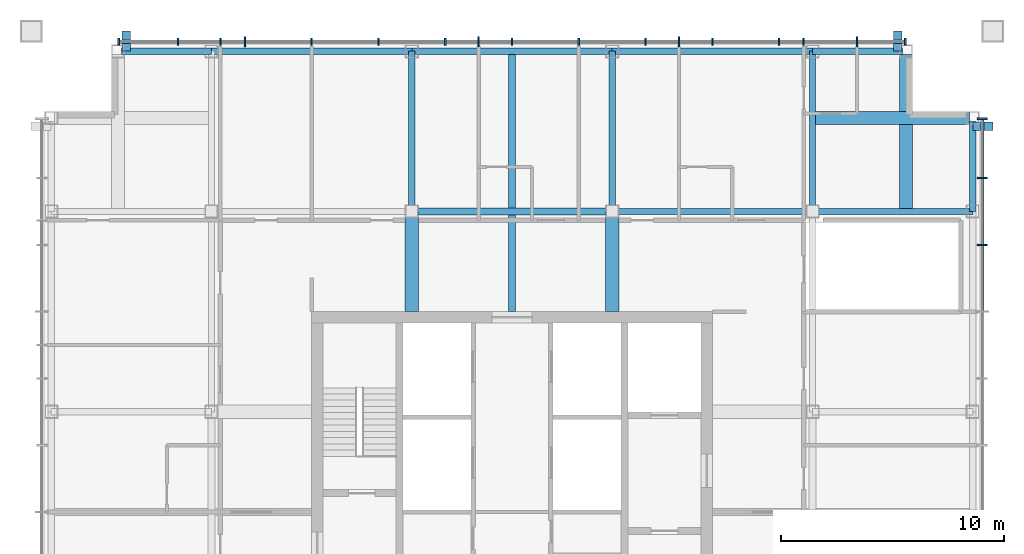
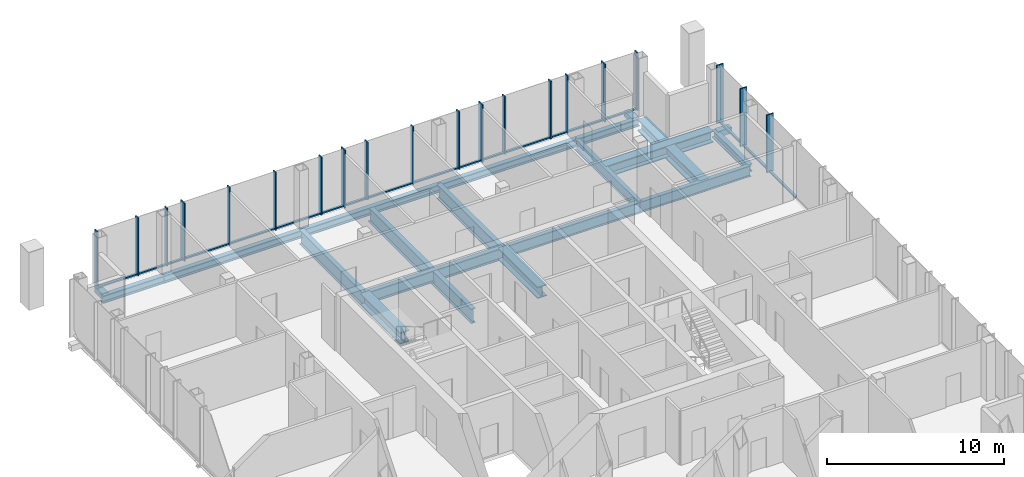
# One storey, part 5 of 12: 42 members, 17 beams, 2 elements without a shape of their own.
"""IFC4 building model written with IfcOpenShell, lengths in metres."""

from ifc_helpers import new_model, si_unit, direction, frame, origin, origin_2d, place, context, subcontext, project, spatial, rectangle, hollow_rectangle, i_section, extrude, material, layer, layer_set, material_profile, profile_set, type_object, element, aggregate, save


model = new_model("IFC4")

# Units and contexts
model_context = context("Model", 3, precision=1e-05, world=origin(), true_north=direction((0.0, 1.0)))
body_context = subcontext(model_context, "Body", "Model", "MODEL_VIEW")
ifc_project = project(units=[si_unit("LENGTHUNIT", "METRE"), si_unit("AREAUNIT", "SQUARE_METRE"), si_unit("VOLUMEUNIT", "CUBIC_METRE"), si_unit("PLANEANGLEUNIT", "RADIAN"), si_unit("MASSUNIT", "GRAM", prefix="KILO")], contexts=[model_context])

# Site, building, storey
site_placement = place(None, origin())
site = spatial("IfcSite", under=ifc_project, at=site_placement, CompositionType="ELEMENT")
building_placement = place(site_placement, origin())
building = spatial("IfcBuilding", under=site, at=building_placement, Name="Malebo Sky Hospital", CompositionType="ELEMENT")
storey_placement = place(building_placement, frame((0.0, 0.0, 286.0)))
storey = spatial("IfcBuildingStorey", under=building, at=storey_placement, Name="L69", CompositionType="ELEMENT", Elevation=286.0)

# Curtain wall, members
ifc_material_1 = material(Name="Anodised aluminium, natural silver", Category="aluminium")
ifc_layer_1 = layer(ifc_material_1, 0.25)
ifc_layer_set_1 = layer_set([ifc_layer_1], Name="WARD CURTAIN WALL NORTH AND SOUTH")
curtain_wall_type_1 = type_object("IfcCurtainWallType", Name="WARD CURTAIN WALL NORTH AND SOUTH", PredefinedType="NOTDEFINED", material=ifc_layer_set_1)
curtain_wall_1_placement = place(storey_placement, origin())
curtain_wall_1 = element("IfcCurtainWall", 1, at=curtain_wall_1_placement, inside=storey, type_object=curtain_wall_type_1, Name="NS curtain wall N", PredefinedType="NOTDEFINED")
ifc_material_profile_1 = material_profile(ifc_material_1, rectangle(XDim=0.14990234375, YDim=0.10009765625, at=origin_2d()), Name="ALUMINIUM TRANSOM 150x100")
ifc_profile_set_1 = profile_set([ifc_material_profile_1], Name="Anodised aluminium, natural silver")
member_type_1 = type_object("IfcMemberType", Name="ALUMINIUM TRANSOM 150x100", PredefinedType="USERDEFINED", material=ifc_profile_set_1)
member_1_placement = place(storey_placement, frame((42.375, 83.125, 0.050048828125), z_axis=(1.0, 0.0, 0.0), x_axis=(0.0, 1.0, 0.0)))
member_1 = element("IfcMember", 2, at=member_1_placement, type_object=member_type_1, Name="Transom 1", ObjectType="TRANSOM", PredefinedType="USERDEFINED", context=body_context, shape_type="SweptSolid", body=[
    extrude(rectangle(XDim=0.14990234375, YDim=0.10009765625, at=origin_2d()), origin(), (0.0, 0.0, 1.0), 2.58740234375),
])
member_2_placement = place(storey_placement, frame((45.03759765625, 83.125, 0.050048828125), z_axis=(1.0, 0.0, 0.0), x_axis=(0.0, 1.0, 0.0)))
member_2 = element("IfcMember", 3, at=member_2_placement, type_object=member_type_1, Name="Transom 2", ObjectType="TRANSOM", PredefinedType="USERDEFINED", context=body_context, shape_type="SweptSolid", body=[
    extrude(rectangle(XDim=0.14990234375, YDim=0.10009765625, at=origin_2d()), origin(), (0.0, 0.0, 1.0), 1.824951171875),
])
member_3_placement = place(storey_placement, frame((46.9375, 83.125, 0.050048828125), z_axis=(1.0, 0.0, 0.0), x_axis=(0.0, 1.0, 0.0)))
member_3 = element("IfcMember", 4, at=member_3_placement, type_object=member_type_1, Name="Transom 3", ObjectType="TRANSOM", PredefinedType="USERDEFINED", context=body_context, shape_type="SweptSolid", body=[
    extrude(rectangle(XDim=0.14990234375, YDim=0.10009765625, at=origin_2d()), origin(), (0.0, 0.0, 1.0), 1.02490234375),
])
member_4_placement = place(storey_placement, frame((48.03759765625, 83.125, 0.050048828125), z_axis=(1.0, 0.0, 0.0), x_axis=(0.0, 1.0, 0.0)))
member_4 = element("IfcMember", 5, at=member_4_placement, type_object=member_type_1, Name="Transom 4", ObjectType="TRANSOM", PredefinedType="USERDEFINED", context=body_context, shape_type="SweptSolid", body=[
    extrude(rectangle(XDim=0.14990234375, YDim=0.10009765625, at=origin_2d()), origin(), (0.0, 0.0, 1.0), 2.9248046875),
])
member_5_placement = place(storey_placement, frame((51.03759765625, 83.125, 0.050048828125), z_axis=(1.0, 0.0, 0.0), x_axis=(0.0, 1.0, 0.0)))
member_5 = element("IfcMember", 6, at=member_5_placement, type_object=member_type_1, Name="Transom 5", ObjectType="TRANSOM", PredefinedType="USERDEFINED", context=body_context, shape_type="SweptSolid", body=[
    extrude(rectangle(XDim=0.14990234375, YDim=0.10009765625, at=origin_2d()), origin(), (0.0, 0.0, 1.0), 2.9248046875),
])
member_6_placement = place(storey_placement, frame((54.03759765625, 83.125, 0.050048828125), z_axis=(1.0, 0.0, 0.0), x_axis=(0.0, 1.0, 0.0)))
member_6 = element("IfcMember", 7, at=member_6_placement, type_object=member_type_1, Name="Transom 6", ObjectType="TRANSOM", PredefinedType="USERDEFINED", context=body_context, shape_type="SweptSolid", body=[
    extrude(rectangle(XDim=0.14990234375, YDim=0.10009765625, at=origin_2d()), origin(), (0.0, 0.0, 1.0), 2.9248046875),
])
member_7_placement = place(storey_placement, frame((57.03759765625, 83.125, 0.050048828125), z_axis=(1.0, 0.0, 0.0), x_axis=(0.0, 1.0, 0.0)))
member_7 = element("IfcMember", 8, at=member_7_placement, type_object=member_type_1, Name="Transom 7", ObjectType="TRANSOM", PredefinedType="USERDEFINED", context=body_context, shape_type="SweptSolid", body=[
    extrude(rectangle(XDim=0.14990234375, YDim=0.10009765625, at=origin_2d()), origin(), (0.0, 0.0, 1.0), 1.4248046875),
])
member_8_placement = place(storey_placement, frame((58.53759765625, 83.125, 0.050048828125), z_axis=(1.0, 0.0, 0.0), x_axis=(0.0, 1.0, 0.0)))
member_8 = element("IfcMember", 9, at=member_8_placement, type_object=member_type_1, Name="Transom 8", ObjectType="TRANSOM", PredefinedType="USERDEFINED", context=body_context, shape_type="SweptSolid", body=[
    extrude(rectangle(XDim=0.14990234375, YDim=0.10009765625, at=origin_2d()), origin(), (0.0, 0.0, 1.0), 1.4248046875),
])
member_9_placement = place(storey_placement, frame((60.03759765625, 83.125, 0.050048828125), z_axis=(1.0, 0.0, 0.0), x_axis=(0.0, 1.0, 0.0)))
member_9 = element("IfcMember", 10, at=member_9_placement, type_object=member_type_1, Name="Transom 9", ObjectType="TRANSOM", PredefinedType="USERDEFINED", context=body_context, shape_type="SweptSolid", body=[
    extrude(rectangle(XDim=0.14990234375, YDim=0.10009765625, at=origin_2d()), origin(), (0.0, 0.0, 1.0), 2.9248046875),
])
member_10_placement = place(storey_placement, frame((63.03759765625, 83.125, 0.050048828125), z_axis=(1.0, 0.0, 0.0), x_axis=(0.0, 1.0, 0.0)))
member_10 = element("IfcMember", 11, at=member_10_placement, type_object=member_type_1, Name="Transom 10", ObjectType="TRANSOM", PredefinedType="USERDEFINED", context=body_context, shape_type="SweptSolid", body=[
    extrude(rectangle(XDim=0.14990234375, YDim=0.10009765625, at=origin_2d()), origin(), (0.0, 0.0, 1.0), 2.9248046875),
])
member_11_placement = place(storey_placement, frame((66.03759765625, 83.125, 0.050048828125), z_axis=(1.0, 0.0, 0.0), x_axis=(0.0, 1.0, 0.0)))
member_11 = element("IfcMember", 12, at=member_11_placement, type_object=member_type_1, Name="Transom 11", ObjectType="TRANSOM", PredefinedType="USERDEFINED", context=body_context, shape_type="SweptSolid", body=[
    extrude(rectangle(XDim=0.14990234375, YDim=0.10009765625, at=origin_2d()), origin(), (0.0, 0.0, 1.0), 1.4248046875),
])
member_12_placement = place(storey_placement, frame((67.53759765625, 83.125, 0.050048828125), z_axis=(1.0, 0.0, 0.0), x_axis=(0.0, 1.0, 0.0)))
member_12 = element("IfcMember", 13, at=member_12_placement, type_object=member_type_1, Name="Transom 12", ObjectType="TRANSOM", PredefinedType="USERDEFINED", context=body_context, shape_type="SweptSolid", body=[
    extrude(rectangle(XDim=0.14990234375, YDim=0.10009765625, at=origin_2d()), origin(), (0.0, 0.0, 1.0), 1.4248046875),
])
member_13_placement = place(storey_placement, frame((69.03759765625, 83.125, 0.050048828125), z_axis=(1.0, 0.0, 0.0), x_axis=(0.0, 1.0, 0.0)))
member_13 = element("IfcMember", 14, at=member_13_placement, type_object=member_type_1, Name="Transom 13", ObjectType="TRANSOM", PredefinedType="USERDEFINED", context=body_context, shape_type="SweptSolid", body=[
    extrude(rectangle(XDim=0.14990234375, YDim=0.10009765625, at=origin_2d()), origin(), (0.0, 0.0, 1.0), 2.9248046875),
])
member_14_placement = place(storey_placement, frame((72.03759765625, 83.125, 0.050048828125), z_axis=(1.0, 0.0, 0.0), x_axis=(0.0, 1.0, 0.0)))
member_14 = element("IfcMember", 15, at=member_14_placement, type_object=member_type_1, Name="Transom 14", ObjectType="TRANSOM", PredefinedType="USERDEFINED", context=body_context, shape_type="SweptSolid", body=[
    extrude(rectangle(XDim=0.14990234375, YDim=0.10009765625, at=origin_2d()), origin(), (0.0, 0.0, 1.0), 1.02490234375),
])
member_15_placement = place(storey_placement, frame((73.137451171875, 83.125, 0.050048828125), z_axis=(1.0, 0.0, 0.0), x_axis=(0.0, 1.0, 0.0)))
member_15 = element("IfcMember", 16, at=member_15_placement, type_object=member_type_1, Name="Transom 15", ObjectType="TRANSOM", PredefinedType="USERDEFINED", context=body_context, shape_type="SweptSolid", body=[
    extrude(rectangle(XDim=0.14990234375, YDim=0.10009765625, at=origin_2d()), origin(), (0.0, 0.0, 1.0), 2.324951171875),
])
member_16_placement = place(storey_placement, frame((75.53759765625, 83.125, 0.050048828125), z_axis=(1.0, 0.0, 0.0), x_axis=(0.0, 1.0, 0.0)))
member_16 = element("IfcMember", 17, at=member_16_placement, type_object=member_type_1, Name="Transom 16", ObjectType="TRANSOM", PredefinedType="USERDEFINED", context=body_context, shape_type="SweptSolid", body=[
    extrude(rectangle(XDim=0.14990234375, YDim=0.10009765625, at=origin_2d()), origin(), (0.0, 0.0, 1.0), 2.08740234375),
])

ifc_layer_2 = layer(ifc_material_1, 0.25)
ifc_layer_set_2 = layer_set([ifc_layer_2], Name="WARD CURTAIN WALL EAST AND WEST")
curtain_wall_type_2 = type_object("IfcCurtainWallType", Name="WARD CURTAIN WALL EAST AND WEST", PredefinedType="NOTDEFINED", material=ifc_layer_set_2)
curtain_wall_2_placement = place(storey_placement, origin())
curtain_wall_2 = element("IfcCurtainWall", 18, at=curtain_wall_2_placement, inside=storey, type_object=curtain_wall_type_2, Name="EW curtain wall E", PredefinedType="NOTDEFINED")
member_17_placement = place(storey_placement, frame((81.125, 79.625, 0.050048828125), z_axis=(0.0, -1.0, 0.0), x_axis=(1.0, 0.0, 0.0)))
member_17 = element("IfcMember", 19, at=member_17_placement, type_object=member_type_1, Name="Transom 1", ObjectType="TRANSOM", PredefinedType="USERDEFINED", context=body_context, shape_type="SweptSolid", body=[
    extrude(rectangle(XDim=0.14990234375, YDim=0.10009765625, at=origin_2d()), origin(), (0.0, 0.0, 1.0), 2.58740234375),
])
member_18_placement = place(storey_placement, frame((81.125, 76.96240234375, 0.050048828125), z_axis=(0.0, -1.0, 0.0), x_axis=(1.0, 0.0, 0.0)))
member_18 = element("IfcMember", 20, at=member_18_placement, type_object=member_type_1, Name="Transom 2", ObjectType="TRANSOM", PredefinedType="USERDEFINED", context=body_context, shape_type="SweptSolid", body=[
    extrude(rectangle(XDim=0.14990234375, YDim=0.10009765625, at=origin_2d()), origin(), (0.0, 0.0, 1.0), 2.9248046875),
])
member_19_placement = place(storey_placement, frame((81.125, 73.96240234375, 0.050048828125), z_axis=(0.0, -1.0, 0.0), x_axis=(1.0, 0.0, 0.0)))
member_19 = element("IfcMember", 21, at=member_19_placement, type_object=member_type_1, Name="Transom 3", ObjectType="TRANSOM", PredefinedType="USERDEFINED", context=body_context, shape_type="SweptSolid", body=[
    extrude(rectangle(XDim=0.14990234375, YDim=0.10009765625, at=origin_2d()), origin(), (0.0, 0.0, 1.0), 2.9248046875),
])

# Members
ifc_material_2 = material(Name="Steel S355", Category="steel")
ifc_material_profile_2 = material_profile(ifc_material_2, hollow_rectangle(XDim=0.39990234375, YDim=0.39990234375, WallThickness=0.02001953125, at=origin_2d()), Name="SHS 400x20")
ifc_profile_set_2 = profile_set([ifc_material_profile_2], Name="Steel S355")
member_type_2 = type_object("IfcMemberType", Name="BRACE STRUT SHS 400x20", PredefinedType="STRUT", material=ifc_profile_set_2)
for number, where, z_axis, x_axis, name in (
    (22, (42.671875, 83.60009765625, -0.39990234375), (0.0, -1.0, 0.0), (1.0, 0.0, 0.0), "Brace strut DN1 L69"),
    (23, (77.328125, 83.60009765625, -0.39990234375), (0.0, -1.0, 0.0), (1.0, 0.0, 0.0), "Brace strut DN2 L69"),
    (24, (81.60009765625, 79.328125, -0.39990234375), (-1.0, 0.0, 0.0), (0.0, -1.0, 0.0), "Brace strut DE1 L69"),
):
    element("IfcMember", number, at=place(storey_placement, frame(where, z_axis=z_axis, x_axis=x_axis)), inside=storey, type_object=member_type_2, Name=name, PredefinedType="STRUT", context=body_context, shape_type="SweptSolid", body=[
        extrude(hollow_rectangle(XDim=0.39990234375, YDim=0.39990234375, WallThickness=0.02001953125, at=origin_2d()), origin(), (0.0, 0.0, 1.0), 0.900146484375),
    ])

# Member
ifc_material_profile_3 = material_profile(ifc_material_1, rectangle(XDim=0.074951171875, YDim=0.300048828125, at=origin_2d()), Name="CW1 ALUMINIUM FIN MULLION 75x300")
ifc_profile_set_3 = profile_set([ifc_material_profile_3], Name="Anodised aluminium, natural silver")
member_type_3 = type_object("IfcMemberType", Name="CW1 ALUMINIUM FIN MULLION 75x300", PredefinedType="MULLION", material=ifc_profile_set_3)
member_20_placement = place(storey_placement, frame((42.33740234375, 83.125, 0.0), z_axis=(0.0, 0.0, 1.0), x_axis=(1.0, 0.0, 0.0)))
member_20 = element("IfcMember", 25, at=member_20_placement, type_object=member_type_3, Name="Fin mullion 1", PredefinedType="MULLION", context=body_context, shape_type="SweptSolid", body=[
    extrude(rectangle(XDim=0.074951171875, YDim=0.300048828125, at=origin_2d()), origin(), (0.0, 0.0, 1.0), 4.0),
])

member_21_placement = place(storey_placement, frame((45.0, 83.125, 0.0), z_axis=(0.0, 0.0, 1.0), x_axis=(1.0, 0.0, 0.0)))
member_21 = element("IfcMember", 26, at=member_21_placement, type_object=member_type_3, Name="Fin mullion 2", PredefinedType="MULLION", context=body_context, shape_type="SweptSolid", body=[
    extrude(rectangle(XDim=0.074951171875, YDim=0.300048828125, at=origin_2d()), origin(), (0.0, 0.0, 1.0), 4.0),
])

member_22_placement = place(storey_placement, frame((46.89990234375, 83.125, 0.0), z_axis=(0.0, 0.0, 1.0), x_axis=(1.0, 0.0, 0.0)))
member_22 = element("IfcMember", 27, at=member_22_placement, type_object=member_type_3, Name="Fin mullion 3", PredefinedType="MULLION", context=body_context, shape_type="SweptSolid", body=[
    extrude(rectangle(XDim=0.074951171875, YDim=0.300048828125, at=origin_2d()), origin(), (0.0, 0.0, 1.0), 4.0),
])

member_23_placement = place(storey_placement, frame((51.0, 83.125, 0.0), z_axis=(0.0, 0.0, 1.0), x_axis=(1.0, 0.0, 0.0)))
member_23 = element("IfcMember", 28, at=member_23_placement, type_object=member_type_3, Name="Fin mullion 5", PredefinedType="MULLION", context=body_context, shape_type="SweptSolid", body=[
    extrude(rectangle(XDim=0.074951171875, YDim=0.300048828125, at=origin_2d()), origin(), (0.0, 0.0, 1.0), 4.0),
])

member_24_placement = place(storey_placement, frame((54.0, 83.125, 0.0), z_axis=(0.0, 0.0, 1.0), x_axis=(1.0, 0.0, 0.0)))
member_24 = element("IfcMember", 29, at=member_24_placement, type_object=member_type_3, Name="Fin mullion 6", PredefinedType="MULLION", context=body_context, shape_type="SweptSolid", body=[
    extrude(rectangle(XDim=0.074951171875, YDim=0.300048828125, at=origin_2d()), origin(), (0.0, 0.0, 1.0), 4.0),
])

member_25_placement = place(storey_placement, frame((57.0, 83.125, 0.0), z_axis=(0.0, 0.0, 1.0), x_axis=(1.0, 0.0, 0.0)))
member_25 = element("IfcMember", 30, at=member_25_placement, type_object=member_type_3, Name="Fin mullion 7", PredefinedType="MULLION", context=body_context, shape_type="SweptSolid", body=[
    extrude(rectangle(XDim=0.074951171875, YDim=0.300048828125, at=origin_2d()), origin(), (0.0, 0.0, 1.0), 4.0),
])

member_26_placement = place(storey_placement, frame((60.0, 83.125, 0.0), z_axis=(0.0, 0.0, 1.0), x_axis=(1.0, 0.0, 0.0)))
member_26 = element("IfcMember", 31, at=member_26_placement, type_object=member_type_3, Name="Fin mullion 9", PredefinedType="MULLION", context=body_context, shape_type="SweptSolid", body=[
    extrude(rectangle(XDim=0.074951171875, YDim=0.300048828125, at=origin_2d()), origin(), (0.0, 0.0, 1.0), 4.0),
])

member_27_placement = place(storey_placement, frame((63.0, 83.125, 0.0), z_axis=(0.0, 0.0, 1.0), x_axis=(1.0, 0.0, 0.0)))
member_27 = element("IfcMember", 32, at=member_27_placement, type_object=member_type_3, Name="Fin mullion 10", PredefinedType="MULLION", context=body_context, shape_type="SweptSolid", body=[
    extrude(rectangle(XDim=0.074951171875, YDim=0.300048828125, at=origin_2d()), origin(), (0.0, 0.0, 1.0), 4.0),
])

member_28_placement = place(storey_placement, frame((66.0, 83.125, 0.0), z_axis=(0.0, 0.0, 1.0), x_axis=(1.0, 0.0, 0.0)))
member_28 = element("IfcMember", 33, at=member_28_placement, type_object=member_type_3, Name="Fin mullion 11", PredefinedType="MULLION", context=body_context, shape_type="SweptSolid", body=[
    extrude(rectangle(XDim=0.074951171875, YDim=0.300048828125, at=origin_2d()), origin(), (0.0, 0.0, 1.0), 4.0),
])

member_29_placement = place(storey_placement, frame((69.0, 83.125, 0.0), z_axis=(0.0, 0.0, 1.0), x_axis=(1.0, 0.0, 0.0)))
member_29 = element("IfcMember", 34, at=member_29_placement, type_object=member_type_3, Name="Fin mullion 13", PredefinedType="MULLION", context=body_context, shape_type="SweptSolid", body=[
    extrude(rectangle(XDim=0.074951171875, YDim=0.300048828125, at=origin_2d()), origin(), (0.0, 0.0, 1.0), 4.0),
])

member_30_placement = place(storey_placement, frame((72.0, 83.125, 0.0), z_axis=(0.0, 0.0, 1.0), x_axis=(1.0, 0.0, 0.0)))
member_30 = element("IfcMember", 35, at=member_30_placement, type_object=member_type_3, Name="Fin mullion 14", PredefinedType="MULLION", context=body_context, shape_type="SweptSolid", body=[
    extrude(rectangle(XDim=0.074951171875, YDim=0.300048828125, at=origin_2d()), origin(), (0.0, 0.0, 1.0), 4.0),
])

member_31_placement = place(storey_placement, frame((73.10009765625, 83.125, 0.0), z_axis=(0.0, 0.0, 1.0), x_axis=(1.0, 0.0, 0.0)))
member_31 = element("IfcMember", 36, at=member_31_placement, type_object=member_type_3, Name="Fin mullion 15", PredefinedType="MULLION", context=body_context, shape_type="SweptSolid", body=[
    extrude(rectangle(XDim=0.074951171875, YDim=0.300048828125, at=origin_2d()), origin(), (0.0, 0.0, 1.0), 4.0),
])

member_32_placement = place(storey_placement, frame((77.66259765625, 83.125, 0.0), z_axis=(0.0, 0.0, 1.0), x_axis=(1.0, 0.0, 0.0)))
member_32 = element("IfcMember", 37, at=member_32_placement, type_object=member_type_3, Name="Fin mullion 17", PredefinedType="MULLION", context=body_context, shape_type="SweptSolid", body=[
    extrude(rectangle(XDim=0.074951171875, YDim=0.300048828125, at=origin_2d()), origin(), (0.0, 0.0, 1.0), 4.0),
])

ifc_material_profile_4 = material_profile(ifc_material_1, rectangle(XDim=0.074951171875, YDim=0.449951171875, at=origin_2d()), Name="CW1 ALUMINIUM FIN MULLION 75x450")
ifc_profile_set_4 = profile_set([ifc_material_profile_4], Name="Anodised aluminium, natural silver")
member_type_4 = type_object("IfcMemberType", Name="CW1 ALUMINIUM FIN MULLION 75x450", PredefinedType="MULLION", material=ifc_profile_set_4)
member_33_placement = place(storey_placement, frame((48.0, 83.125, 0.0), z_axis=(0.0, 0.0, 1.0), x_axis=(1.0, 0.0, 0.0)))
member_33 = element("IfcMember", 38, at=member_33_placement, type_object=member_type_4, Name="Fin mullion 4", PredefinedType="MULLION", context=body_context, shape_type="SweptSolid", body=[
    extrude(rectangle(XDim=0.074951171875, YDim=0.449951171875, at=origin_2d()), origin(), (0.0, 0.0, 1.0), 4.0),
])

member_34_placement = place(storey_placement, frame((58.5, 83.125, 0.0), z_axis=(0.0, 0.0, 1.0), x_axis=(1.0, 0.0, 0.0)))
member_34 = element("IfcMember", 39, at=member_34_placement, type_object=member_type_4, Name="Fin mullion 8", PredefinedType="MULLION", context=body_context, shape_type="SweptSolid", body=[
    extrude(rectangle(XDim=0.074951171875, YDim=0.449951171875, at=origin_2d()), origin(), (0.0, 0.0, 1.0), 4.0),
])

member_35_placement = place(storey_placement, frame((67.5, 83.125, 0.0), z_axis=(0.0, 0.0, 1.0), x_axis=(1.0, 0.0, 0.0)))
member_35 = element("IfcMember", 40, at=member_35_placement, type_object=member_type_4, Name="Fin mullion 12", PredefinedType="MULLION", context=body_context, shape_type="SweptSolid", body=[
    extrude(rectangle(XDim=0.074951171875, YDim=0.449951171875, at=origin_2d()), origin(), (0.0, 0.0, 1.0), 4.0),
])

member_36_placement = place(storey_placement, frame((75.5, 83.125, 0.0), z_axis=(0.0, 0.0, 1.0), x_axis=(1.0, 0.0, 0.0)))
member_36 = element("IfcMember", 41, at=member_36_placement, type_object=member_type_4, Name="Fin mullion 16", PredefinedType="MULLION", context=body_context, shape_type="SweptSolid", body=[
    extrude(rectangle(XDim=0.074951171875, YDim=0.449951171875, at=origin_2d()), origin(), (0.0, 0.0, 1.0), 4.0),
])

aggregate(curtain_wall_1, [member_20, member_21, member_22, member_33, member_23, member_24, member_25, member_34, member_26, member_27, member_28, member_35, member_29, member_30, member_31, member_36, member_32, member_1, member_2, member_3, member_4, member_5, member_6, member_7, member_8, member_9, member_10, member_11, member_12, member_13, member_14, member_15, member_16])

ifc_material_profile_5 = material_profile(ifc_material_1, rectangle(XDim=0.074951171875, YDim=0.449951171875, at=origin_2d()), Name="CW2 ALUMINIUM FIN MULLION 75x450")
ifc_profile_set_5 = profile_set([ifc_material_profile_5], Name="Anodised aluminium, natural silver")
member_type_5 = type_object("IfcMemberType", Name="CW2 ALUMINIUM FIN MULLION 75x450", PredefinedType="MULLION", material=ifc_profile_set_5)
member_37_placement = place(storey_placement, frame((81.125, 79.66259765625, 0.0), z_axis=(0.0, 0.0, 1.0), x_axis=(0.0, -1.0, 0.0)))
member_37 = element("IfcMember", 42, at=member_37_placement, type_object=member_type_5, Name="Fin mullion 1", PredefinedType="MULLION", context=body_context, shape_type="SweptSolid", body=[
    extrude(rectangle(XDim=0.074951171875, YDim=0.449951171875, at=origin_2d()), origin(), (0.0, 0.0, 1.0), 4.0),
])

member_38_placement = place(storey_placement, frame((81.125, 77.0, 0.0), z_axis=(0.0, 0.0, 1.0), x_axis=(0.0, -1.0, 0.0)))
member_38 = element("IfcMember", 43, at=member_38_placement, type_object=member_type_5, Name="Fin mullion 2", PredefinedType="MULLION", context=body_context, shape_type="SweptSolid", body=[
    extrude(rectangle(XDim=0.074951171875, YDim=0.449951171875, at=origin_2d()), origin(), (0.0, 0.0, 1.0), 4.0),
])

member_39_placement = place(storey_placement, frame((81.125, 74.0, 0.0), z_axis=(0.0, 0.0, 1.0), x_axis=(0.0, -1.0, 0.0)))
member_39 = element("IfcMember", 44, at=member_39_placement, type_object=member_type_5, Name="Fin mullion 3", PredefinedType="MULLION", context=body_context, shape_type="SweptSolid", body=[
    extrude(rectangle(XDim=0.074951171875, YDim=0.449951171875, at=origin_2d()), origin(), (0.0, 0.0, 1.0), 4.0),
])

aggregate(curtain_wall_2, [member_37, member_38, member_39, member_17, member_18, member_19])

# Beams
ifc_material_profile_6 = material_profile(ifc_material_2, i_section(OverallWidth=0.305908203125, OverallDepth=0.52392578125, WebThickness=0.02099609375, FlangeThickness=0.0400390625, FilletRadius=0.027099609375, at=origin_2d()), Name="HEM 500")
ifc_profile_set_6 = profile_set([ifc_material_profile_6], Name="Steel S355")
beam_type_1 = type_object("IfcBeamType", Name="EDGE BEAM HEM 500", PredefinedType="BEAM", material=ifc_profile_set_6)
for number, where, z_axis, x_axis, name in (
    (45, (80.699951171875, 75.5, -0.511962890625), (0.0, 1.0, 0.0), (-1.0, 0.0, 0.0), "Beam 033 L69"),
    (46, (42.449951171875, 82.699951171875, -0.511962890625), (1.0, 0.0, 0.0), (0.0, 1.0, 0.0), "Beam 063 L69"),
):
    element("IfcBeam", number, at=place(storey_placement, frame(where, z_axis=z_axis, x_axis=x_axis)), inside=storey, type_object=beam_type_1, Name=name, PredefinedType="BEAM", context=body_context, shape_type="SweptSolid", body=[
        extrude(i_section(OverallWidth=0.305908203125, OverallDepth=0.52392578125, WebThickness=0.02099609375, FlangeThickness=0.0400390625, FilletRadius=0.027099609375, at=origin_2d()), origin(), (0.0, 0.0, 1.0), 4.050048828125),
    ])
for number, where, z_axis, x_axis, name in (
    (47, (46.5, 82.699951171875, -0.511962890625), (1.0, 0.0, 0.0), (0.0, 1.0, 0.0), "Beam 064 L69"),
    (48, (55.5, 82.699951171875, -0.511962890625), (1.0, 0.0, 0.0), (0.0, 1.0, 0.0), "Beam 065 L69"),
    (49, (64.5, 82.699951171875, -0.511962890625), (1.0, 0.0, 0.0), (0.0, 1.0, 0.0), "Beam 066 L69"),
):
    element("IfcBeam", number, at=place(storey_placement, frame(where, z_axis=z_axis, x_axis=x_axis)), inside=storey, type_object=beam_type_1, Name=name, PredefinedType="BEAM", context=body_context, shape_type="SweptSolid", body=[
        extrude(i_section(OverallWidth=0.305908203125, OverallDepth=0.52392578125, WebThickness=0.02099609375, FlangeThickness=0.0400390625, FilletRadius=0.027099609375, at=origin_2d()), origin(), (0.0, 0.0, 1.0), 9.0),
    ])
beam_1_placement = place(storey_placement, frame((73.5, 82.699951171875, -0.511962890625), z_axis=(1.0, 0.0, 0.0), x_axis=(0.0, 1.0, 0.0)))
element("IfcBeam", 50, at=beam_1_placement, inside=storey, type_object=beam_type_1, Name="Beam 067 L69", PredefinedType="BEAM", context=body_context, shape_type="SweptSolid", body=[
    extrude(i_section(OverallWidth=0.305908203125, OverallDepth=0.52392578125, WebThickness=0.02099609375, FlangeThickness=0.0400390625, FilletRadius=0.027099609375, at=origin_2d()), origin(), (0.0, 0.0, 1.0), 4.050048828125),
])
ifc_material_profile_7 = material_profile(ifc_material_2, i_section(OverallWidth=0.300048828125, OverallDepth=1.0, WebThickness=0.01904296875, FlangeThickness=0.035888671875, FilletRadius=0.030029296875, at=origin_2d()), Name="HEB 1000")
ifc_profile_set_7 = profile_set([ifc_material_profile_7], Name="Steel S355")
beam_type_2 = type_object("IfcBeamType", Name="FLOOR BEAM HEB 1000", PredefinedType="BEAM", material=ifc_profile_set_7)
beam_2_placement = place(storey_placement, frame((55.5, 75.5, -0.75), z_axis=(0.0, 1.0, 0.0), x_axis=(-1.0, 0.0, 0.0)))
element("IfcBeam", 51, at=beam_2_placement, inside=storey, type_object=beam_type_2, Name="Beam 015 L69", PredefinedType="BEAM", context=body_context, shape_type="SweptSolid", body=[
    extrude(i_section(OverallWidth=0.300048828125, OverallDepth=1.0, WebThickness=0.01904296875, FlangeThickness=0.035888671875, FilletRadius=0.030029296875, at=origin_2d()), origin(), (0.0, 0.0, 1.0), 7.199951171875),
])
beam_3_placement = place(storey_placement, frame((60.0, 71.0, -0.75), z_axis=(0.0, 1.0, 0.0), x_axis=(-1.0, 0.0, 0.0)))
element("IfcBeam", 52, at=beam_3_placement, inside=storey, type_object=beam_type_2, Name="Beam 017 L69", PredefinedType="BEAM", context=body_context, shape_type="SweptSolid", body=[
    extrude(i_section(OverallWidth=0.300048828125, OverallDepth=1.0, WebThickness=0.01904296875, FlangeThickness=0.035888671875, FilletRadius=0.030029296875, at=origin_2d()), origin(), (0.0, 0.0, 1.0), 11.699951171875),
])
beam_4_placement = place(storey_placement, frame((64.5, 75.5, -0.75), z_axis=(0.0, 1.0, 0.0), x_axis=(-1.0, 0.0, 0.0)))
element("IfcBeam", 53, at=beam_4_placement, inside=storey, type_object=beam_type_2, Name="Beam 021 L69", PredefinedType="BEAM", context=body_context, shape_type="SweptSolid", body=[
    extrude(i_section(OverallWidth=0.300048828125, OverallDepth=1.0, WebThickness=0.01904296875, FlangeThickness=0.035888671875, FilletRadius=0.030029296875, at=origin_2d()), origin(), (0.0, 0.0, 1.0), 7.199951171875),
])
ifc_material_profile_8 = material_profile(ifc_material_2, i_section(OverallWidth=0.26708984375, OverallDepth=0.761962890625, WebThickness=0.014404296875, FlangeThickness=0.021484375, FilletRadius=0.01708984375, at=origin_2d()), Name="IPE 750x173")
ifc_profile_set_8 = profile_set([ifc_material_profile_8], Name="Steel S355")
beam_type_3 = type_object("IfcBeamType", Name="FLOOR BEAM IPE 750x173", PredefinedType="BEAM", material=ifc_profile_set_8)
beam_5_placement = place(storey_placement, frame((64.5, 75.5, -0.631103515625), z_axis=(1.0, 0.0, 0.0), x_axis=(0.0, 1.0, 0.0)))
element("IfcBeam", 54, at=beam_5_placement, inside=storey, type_object=beam_type_3, Name="Beam 059 L69", PredefinedType="BEAM", context=body_context, shape_type="SweptSolid", body=[
    extrude(i_section(OverallWidth=0.26708984375, OverallDepth=0.761962890625, WebThickness=0.014404296875, FlangeThickness=0.021484375, FilletRadius=0.01708984375, at=origin_2d()), origin(), (0.0, 0.0, 1.0), 9.0),
])
ifc_material_profile_9 = material_profile(ifc_material_2, i_section(OverallWidth=0.60009765625, OverallDepth=0.800048828125, WebThickness=0.0400390625, FlangeThickness=0.06005859375, at=origin_2d()), Name="PG 800x600x40x60")
ifc_profile_set_9 = profile_set([ifc_material_profile_9], Name="Steel S355")
beam_type_4 = type_object("IfcBeamType", Name="FLOOR BEAM PG 800x600x40x60", PredefinedType="BEAM", material=ifc_profile_set_9)
for number, where, z_axis, x_axis, name in (
    (55, (55.5, 71.0, -0.64990234375), (0.0, 1.0, 0.0), (-1.0, 0.0, 0.0), "Beam 014 L69"),
    (56, (64.5, 71.0, -0.64990234375), (0.0, 1.0, 0.0), (-1.0, 0.0, 0.0), "Beam 020 L69"),
):
    element("IfcBeam", number, at=place(storey_placement, frame(where, z_axis=z_axis, x_axis=x_axis)), inside=storey, type_object=beam_type_4, Name=name, PredefinedType="BEAM", context=body_context, shape_type="SweptSolid", body=[
        extrude(i_section(OverallWidth=0.60009765625, OverallDepth=0.800048828125, WebThickness=0.0400390625, FlangeThickness=0.06005859375, at=origin_2d()), origin(), (0.0, 0.0, 1.0), 4.5),
    ])
for number, where, z_axis, x_axis, name in (
    (57, (77.699951171875, 75.5, -0.64990234375), (0.0, 1.0, 0.0), (-1.0, 0.0, 0.0), "Beam 028 L69"),
    (58, (73.5, 79.699951171875, -0.64990234375), (1.0, 0.0, 0.0), (0.0, 1.0, 0.0), "Beam 062 L69"),
):
    element("IfcBeam", number, at=place(storey_placement, frame(where, z_axis=z_axis, x_axis=x_axis)), inside=storey, type_object=beam_type_4, Name=name, PredefinedType="BEAM", context=body_context, shape_type="SweptSolid", body=[
        extrude(i_section(OverallWidth=0.60009765625, OverallDepth=0.800048828125, WebThickness=0.0400390625, FlangeThickness=0.06005859375, at=origin_2d()), origin(), (0.0, 0.0, 1.0), 7.050048828125),
    ])
ifc_material_profile_10 = material_profile(ifc_material_2, i_section(OverallWidth=0.262939453125, OverallDepth=0.7529296875, WebThickness=0.011474609375, FlangeThickness=0.01708984375, FilletRadius=0.01708984375, at=origin_2d()), Name="IPE 750x137")
ifc_profile_set_10 = profile_set([ifc_material_profile_10], Name="Steel S355")
beam_type_5 = type_object("IfcBeamType", Name="FLOOR GIRDER IPE 750x137", PredefinedType="BEAM", material=ifc_profile_set_10)
for number, where, z_axis, x_axis, name in (
    (59, (73.5, 75.5, -0.62646484375), (0.0, 1.0, 0.0), (-1.0, 0.0, 0.0), "Beam 026 L69"),
    (60, (73.5, 75.5, -0.62646484375), (1.0, 0.0, 0.0), (0.0, 1.0, 0.0), "Beam 060 L69"),
):
    element("IfcBeam", number, at=place(storey_placement, frame(where, z_axis=z_axis, x_axis=x_axis)), inside=storey, type_object=beam_type_5, Name=name, PredefinedType="BEAM", context=body_context, shape_type="SweptSolid", body=[
        extrude(i_section(OverallWidth=0.262939453125, OverallDepth=0.7529296875, WebThickness=0.011474609375, FlangeThickness=0.01708984375, FilletRadius=0.01708984375, at=origin_2d()), origin(), (0.0, 0.0, 1.0), 7.199951171875),
    ])
ifc_material_profile_11 = material_profile(ifc_material_2, i_section(OverallWidth=0.300048828125, OverallDepth=0.800048828125, WebThickness=0.017578125, FlangeThickness=0.032958984375, FilletRadius=0.030029296875, at=origin_2d()), Name="HEB 800")
ifc_profile_set_11 = profile_set([ifc_material_profile_11], Name="Steel S355")
beam_type_6 = type_object("IfcBeamType", Name="RING GIRDER HEB 800", PredefinedType="BEAM", material=ifc_profile_set_11)
beam_6_placement = place(storey_placement, frame((55.5, 75.5, -0.64990234375), z_axis=(1.0, 0.0, 0.0), x_axis=(0.0, 1.0, 0.0)))
element("IfcBeam", 61, at=beam_6_placement, inside=storey, type_object=beam_type_6, Name="Beam 058 L69", PredefinedType="BEAM", context=body_context, shape_type="SweptSolid", body=[
    extrude(i_section(OverallWidth=0.300048828125, OverallDepth=0.800048828125, WebThickness=0.017578125, FlangeThickness=0.032958984375, FilletRadius=0.030029296875, at=origin_2d()), origin(), (0.0, 0.0, 1.0), 9.0),
])

save(model, "model.ifc")
